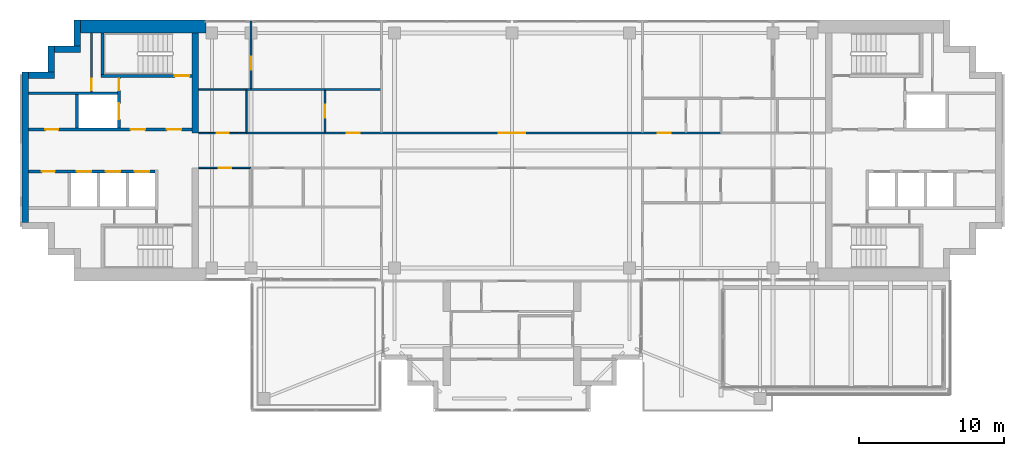
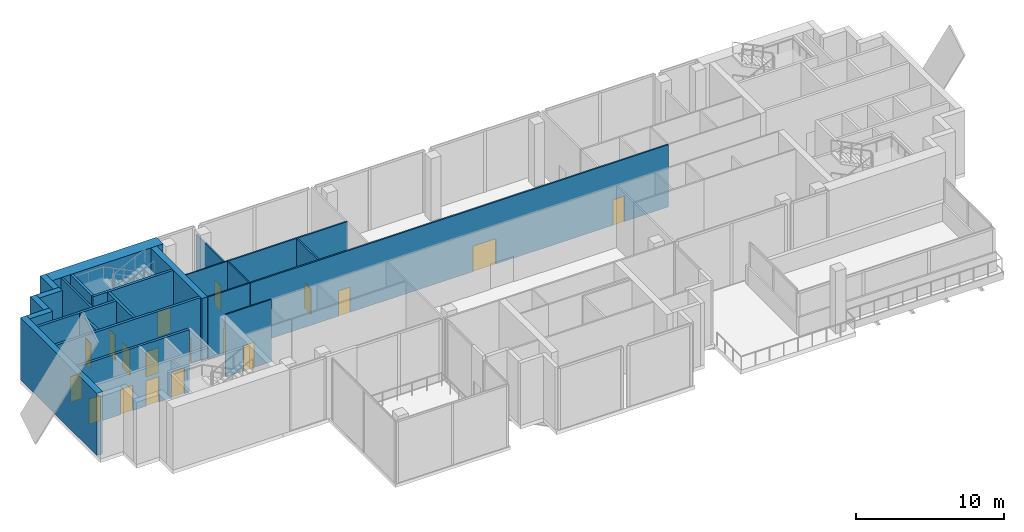
# One storey, part 7 of 14: 23 walls, 18 doors, 18 openings.
"""IFC4 building model written with IfcOpenShell, lengths in metres."""

from ifc_helpers import new_model, si_unit, direction, frame, frame_2d, origin, place, context, subcontext, project, spatial, rectangle, extrude, material, layer, layer_set, type_object, element, fill, save


model = new_model("IFC4")

# Units and contexts
model_context = context("Model", 3, precision=1e-05, world=origin(), true_north=direction((0.0, 1.0)))
body_context = subcontext(model_context, "Body", "Model", "MODEL_VIEW")
ifc_project = project(units=[si_unit("LENGTHUNIT", "METRE"), si_unit("AREAUNIT", "SQUARE_METRE"), si_unit("VOLUMEUNIT", "CUBIC_METRE"), si_unit("PLANEANGLEUNIT", "RADIAN"), si_unit("MASSUNIT", "GRAM", prefix="KILO")], contexts=[model_context])

# Site, building, storey
site_placement = place(None, origin())
site = spatial("IfcSite", under=ifc_project, at=site_placement, CompositionType="ELEMENT")
building_placement = place(site_placement, origin())
building = spatial("IfcBuilding", under=site, at=building_placement, Name="Perihelion Cross Residences", CompositionType="ELEMENT")
storey_placement = place(building_placement, frame((0.0, 0.0, 285.0)))
storey = spatial("IfcBuildingStorey", under=building, at=storey_placement, Name="L73", CompositionType="ELEMENT", Elevation=285.0)

# Walls
ifc_material_1 = material(Name="Concrete C60/75", Category="concrete")
ifc_layer_1 = layer(ifc_material_1, 0.449951171875)
ifc_layer_set_1 = layer_set([ifc_layer_1], Name="Core wall, inner 450")
wall_type_1 = type_object("IfcWallType", Name="Core wall, inner 450", PredefinedType="SHEAR", material=ifc_layer_set_1)
wall_1_placement = place(storey_placement, frame((-21.824951171875, 1.199951171875, 0.0), z_axis=(0.0, 0.0, 1.0), x_axis=(0.0, 1.0, 0.0)))
element("IfcWall", 1, at=wall_1_placement, inside=storey, type_object=wall_type_1, Name="West core core wall, inner", PredefinedType="SHEAR", context=body_context, shape_type="SweptSolid", body=[
    extrude(rectangle(XDim=6.900146484375, YDim=0.449951171875, at=frame_2d((3.4501953125, 0.0))), origin(), (0.0, 0.0, 1.0), 5.14990234375),
])
ifc_material_2 = material(Name="Concrete C60/75", Category="concrete")
ifc_layer_2 = layer(ifc_material_2, 0.449951171875)
ifc_layer_set_2 = layer_set([ifc_layer_2], Name="Core wall, outer 450")
wall_type_2 = type_object("IfcWallType", Name="Core wall, outer 450", PredefinedType="SHEAR", material=ifc_layer_set_2)
wall_2_placement = place(storey_placement, frame((-33.574951171875, -4.949951171875, 0.0), z_axis=(0.0, 0.0, 1.0), x_axis=(0.0, 1.0, 0.0)))
element("IfcWall", 2, at=wall_2_placement, inside=storey, type_object=wall_type_2, Name="West core core wall, outer", PredefinedType="SHEAR", context=body_context, shape_type="SweptSolid", body=[
    extrude(rectangle(XDim=10.349853515625, YDim=0.449951171875, at=frame_2d((5.1748046875, 0.0))), origin(), (0.0, 0.0, 1.0), 5.14990234375),
])
for number, where, z_axis, x_axis, name in (
    (3, (-33.35009765625, 5.175048828125, 0.0), (0.0, 0.0, 1.0), (1.0, 0.0, 0.0), "West core core wall, outer"),
    (4, (-31.77490234375, 5.39990234375, 0.0), (0.0, 0.0, 1.0), (0.0, 1.0, 0.0), "West core core wall, outer"),
    (5, (-31.550048828125, 6.97509765625, 0.0), (0.0, 0.0, 1.0), (1.0, 0.0, 0.0), "West core core wall, outer"),
    (6, (-29.97509765625, 7.199951171875, 0.0), (0.0, 0.0, 1.0), (0.0, 1.0, 0.0), "West core core wall, outer"),
):
    element("IfcWall", number, at=place(storey_placement, frame(where, z_axis=z_axis, x_axis=x_axis)), inside=storey, type_object=wall_type_2, Name=name, PredefinedType="SHEAR", context=body_context, shape_type="SweptSolid", body=[
        extrude(rectangle(XDim=1.800048828125, YDim=0.449951171875, at=frame_2d((0.89990234375, 0.0))), origin(), (0.0, 0.0, 1.0), 5.14990234375),
    ])
ifc_material_3 = material(Name="Concrete C60/75", Category="concrete")
ifc_layer_3 = layer(ifc_material_3, 0.89990234375)
ifc_layer_set_3 = layer_set([ifc_layer_3], Name="Core wall, outer 900")
wall_type_3 = type_object("IfcWallType", Name="Core wall, outer 900", PredefinedType="SHEAR", material=ifc_layer_set_3)
wall_3_placement = place(storey_placement, frame((-29.75, 8.550048828125, 0.0), z_axis=(0.0, 0.0, 1.0), x_axis=(1.0, 0.0, 0.0)))
element("IfcWall", 7, at=wall_3_placement, inside=storey, type_object=wall_type_3, Name="West core core wall, outer", PredefinedType="SHEAR", context=body_context, shape_type="SweptSolid", body=[
    extrude(rectangle(XDim=8.64990234375, YDim=0.89990234375, at=frame_2d((4.324951171875, 0.0))), origin(), (0.0, 0.0, 1.0), 5.14990234375),
])

# Wall, openings, doors
ifc_material_4 = material(Name="Plasterboard partition")
ifc_layer_4 = layer(ifc_material_4, 0.1201171875)
ifc_layer_set_4 = layer_set([ifc_layer_4], Name="Partition wall 120")
wall_type_4 = type_object("IfcWallType", Name="Partition wall 120", PredefinedType="PARTITIONING", material=ifc_layer_set_4)
wall_4_placement = place(storey_placement, frame((-18.300048828125, 1.199951171875, 0.0), z_axis=(0.0, 0.0, 1.0), x_axis=(1.0, 0.0, 0.0)))
wall_4 = element("IfcWall", 8, at=wall_4_placement, inside=storey, type_object=wall_type_4, Name="Partition L73 W001", PredefinedType="PARTITIONING", context=body_context, shape_type="SweptSolid", body=[
    extrude(rectangle(XDim=32.699951171875, YDim=0.1201171875, at=frame_2d((16.35009765625, 0.0))), origin(), (0.0, 0.0, 1.0), 5.14990234375),
])
opening_1_placement = place(wall_4_placement, frame((17.39990234375, 0.0, 0.0)))
opening_1 = element("IfcOpeningElement", 9, at=opening_1_placement, cuts=wall_4, Name="Opening L73.A01", PredefinedType="OPENING", context=body_context, shape_type="SweptSolid", body=[
    extrude(rectangle(XDim=1.800048828125, YDim=2.10009765625, at=frame_2d((0.89990234375, 1.050048828125))), frame((0.0, 0.070068359375, 0.0), z_axis=(0.0, -1.0, 0.0), x_axis=(1.0, 0.0, 0.0)), (0.0, 0.0, 1.0), 0.14013671875),
])
opening_2_placement = place(wall_4_placement, frame((28.35009765625, 0.0, 0.0)))
opening_2 = element("IfcOpeningElement", 10, at=opening_2_placement, cuts=wall_4, Name="Opening L73.A03", PredefinedType="OPENING", context=body_context, shape_type="SweptSolid", body=[
    extrude(rectangle(XDim=0.89990234375, YDim=2.10009765625, at=frame_2d((0.449951171875, 1.050048828125))), frame((0.0, 0.070068359375, 0.0), z_axis=(0.0, -1.0, 0.0), x_axis=(1.0, 0.0, 0.0)), (0.0, 0.0, 1.0), 0.14013671875),
])
opening_3_placement = place(wall_4_placement, frame((6.89990234375, 0.0, 0.0)))
opening_3 = element("IfcOpeningElement", 11, at=opening_3_placement, cuts=wall_4, Name="Opening L73.A07", PredefinedType="OPENING", context=body_context, shape_type="SweptSolid", body=[
    extrude(rectangle(XDim=0.89990234375, YDim=2.10009765625, at=frame_2d((0.449951171875, 1.050048828125))), frame((0.0, 0.070068359375, 0.0), z_axis=(0.0, -1.0, 0.0), x_axis=(1.0, 0.0, 0.0)), (0.0, 0.0, 1.0), 0.14013671875),
])
ifc_material_5 = material(Name="Glazed timber door leaf", Category="wood")
door_type_1 = type_object("IfcDoorType", Name="Interior double leaf door 1800 x 2100", OperationType="DOUBLE_DOOR_SINGLE_SWING", PredefinedType="DOOR", material=ifc_material_5)
door_1_placement = place(opening_1_placement, origin())
door_1 = element("IfcDoor", 12, at=door_1_placement, inside=storey, type_object=door_type_1, Name="Door L73.A01", OperationType="SINGLE_SWING_LEFT", OverallHeight=2.10009765625, OverallWidth=1.800048828125, PredefinedType="DOOR", context=body_context, shape_type="SweptSolid", body=[
    extrude(rectangle(XDim=1.800048828125, YDim=2.10009765625, at=frame_2d((0.89990234375, 1.050048828125))), frame((0.0, 0.02490234375, 0.0), z_axis=(0.0, -1.0, 0.0), x_axis=(1.0, 0.0, 0.0)), (0.0, 0.0, 1.0), 0.050048828125),
])
fill(opening_1, door_1)
ifc_material_6 = material(Name="Timber door leaf", Category="wood")
door_type_2 = type_object("IfcDoorType", Name="Interior room door 900 x 2100", OperationType="SINGLE_SWING_LEFT", PredefinedType="DOOR", material=ifc_material_6)
door_2_placement = place(opening_2_placement, origin())
door_2 = element("IfcDoor", 13, at=door_2_placement, inside=storey, type_object=door_type_2, Name="Door L73.A03", OperationType="SINGLE_SWING_LEFT", OverallHeight=2.10009765625, OverallWidth=0.89990234375, PredefinedType="DOOR", context=body_context, shape_type="SweptSolid", body=[
    extrude(rectangle(XDim=0.89990234375, YDim=2.10009765625, at=frame_2d((0.449951171875, 1.050048828125))), frame((0.0, 0.02490234375, 0.0), z_axis=(0.0, -1.0, 0.0), x_axis=(1.0, 0.0, 0.0)), (0.0, 0.0, 1.0), 0.050048828125),
])
fill(opening_2, door_2)
door_3_placement = place(opening_3_placement, origin())
door_3 = element("IfcDoor", 14, at=door_3_placement, inside=storey, type_object=door_type_2, Name="Door L73.A07", OperationType="SINGLE_SWING_LEFT", OverallHeight=2.10009765625, OverallWidth=0.89990234375, PredefinedType="DOOR", context=body_context, shape_type="SweptSolid", body=[
    extrude(rectangle(XDim=0.89990234375, YDim=2.10009765625, at=frame_2d((0.449951171875, 1.050048828125))), frame((0.0, 0.02490234375, 0.0), z_axis=(0.0, -1.0, 0.0), x_axis=(1.0, 0.0, 0.0)), (0.0, 0.0, 1.0), 0.050048828125),
])
fill(opening_3, door_3)

# Wall, opening, door
wall_5_placement = place(storey_placement, frame((-18.0, 4.260009765625, 0.0), z_axis=(0.0, 0.0, 1.0), x_axis=(0.0, 1.0, 0.0)))
wall_5 = element("IfcWall", 15, at=wall_5_placement, inside=storey, type_object=wall_type_4, Name="Partition L73 W025", PredefinedType="PARTITIONING", context=body_context, shape_type="SweptSolid", body=[
    extrude(rectangle(XDim=4.659912109375, YDim=0.1201171875, at=frame_2d((2.330078125, 0.0))), origin(), (0.0, 0.0, 1.0), 4.39599609375),
])
opening_4_placement = place(wall_5_placement, frame((1.320068359375, 0.0, 0.0)))
opening_4 = element("IfcOpeningElement", 16, at=opening_4_placement, cuts=wall_5, Name="Opening L73.A22", PredefinedType="OPENING", context=body_context, shape_type="SweptSolid", body=[
    extrude(rectangle(XDim=0.89990234375, YDim=2.10009765625, at=frame_2d((0.449951171875, 1.050048828125))), frame((0.0, 0.070068359375, 0.0), z_axis=(0.0, -1.0, 0.0), x_axis=(1.0, 0.0, 0.0)), (0.0, 0.0, 1.0), 0.14013671875),
])
door_4_placement = place(opening_4_placement, origin())
door_4 = element("IfcDoor", 17, at=door_4_placement, inside=storey, type_object=door_type_2, Name="Door L73.A22", OperationType="SINGLE_SWING_LEFT", OverallHeight=2.10009765625, OverallWidth=0.89990234375, PredefinedType="DOOR", context=body_context, shape_type="SweptSolid", body=[
    extrude(rectangle(XDim=0.89990234375, YDim=2.10009765625, at=frame_2d((0.449951171875, 1.050048828125))), frame((0.0, 0.02490234375, 0.0), z_axis=(0.0, -1.0, 0.0), x_axis=(1.0, 0.0, 0.0)), (0.0, 0.0, 1.0), 0.050048828125),
])
fill(opening_4, door_4)

# Wall
wall_6_placement = place(storey_placement, frame((-8.93994140625, 4.199951171875, 0.0), z_axis=(0.0, 0.0, 1.0), x_axis=(-1.0, 0.0, 0.0)))
element("IfcWall", 18, at=wall_6_placement, inside=storey, type_object=wall_type_4, Name="Partition L73 W026", PredefinedType="PARTITIONING", context=body_context, shape_type="SweptSolid", body=[
    extrude(rectangle(XDim=9.360107421875, YDim=0.1201171875, at=frame_2d((4.68017578125, 0.0))), origin(), (0.0, 0.0, 1.0), 5.14990234375),
])

# Wall, opening, door
wall_7_placement = place(storey_placement, frame((-12.89990234375, 1.260009765625, 0.0), z_axis=(0.0, 0.0, 1.0), x_axis=(0.0, 1.0, 0.0)))
wall_7 = element("IfcWall", 19, at=wall_7_placement, inside=storey, type_object=wall_type_4, Name="Partition L73 W028", PredefinedType="PARTITIONING", context=body_context, shape_type="SweptSolid", body=[
    extrude(rectangle(XDim=2.8798828125, YDim=0.1201171875, at=frame_2d((1.43994140625, 0.0))), origin(), (0.0, 0.0, 1.0), 5.14990234375),
])
opening_5_placement = place(wall_7_placement, frame((0.989990234375, 0.0, 0.0)))
opening_5 = element("IfcOpeningElement", 20, at=opening_5_placement, cuts=wall_7, Name="Opening L73.A18", PredefinedType="OPENING", context=body_context, shape_type="SweptSolid", body=[
    extrude(rectangle(XDim=0.89990234375, YDim=2.10009765625, at=frame_2d((0.449951171875, 1.050048828125))), frame((0.0, 0.070068359375, 0.0), z_axis=(0.0, -1.0, 0.0), x_axis=(1.0, 0.0, 0.0)), (0.0, 0.0, 1.0), 0.14013671875),
])
door_5_placement = place(opening_5_placement, origin())
door_5 = element("IfcDoor", 21, at=door_5_placement, inside=storey, type_object=door_type_2, Name="Door L73.A18", OperationType="SINGLE_SWING_LEFT", OverallHeight=2.10009765625, OverallWidth=0.89990234375, PredefinedType="DOOR", context=body_context, shape_type="SweptSolid", body=[
    extrude(rectangle(XDim=0.89990234375, YDim=2.10009765625, at=frame_2d((0.449951171875, 1.050048828125))), frame((0.0, 0.02490234375, 0.0), z_axis=(0.0, -1.0, 0.0), x_axis=(1.0, 0.0, 0.0)), (0.0, 0.0, 1.0), 0.050048828125),
])
fill(opening_5, door_5)

ifc_material_7 = material(Name="Fire-rated board on steel stud", Category="steel")
ifc_layer_5 = layer(ifc_material_7, 0.14990234375)
ifc_layer_set_5 = layer_set([ifc_layer_5], Name="Riser wall 150")
wall_type_5 = type_object("IfcWallType", Name="Riser wall 150", PredefinedType="PARTITIONING", material=ifc_layer_set_5)
wall_8_placement = place(storey_placement, frame((-29.0, 4.050048828125, 0.0), z_axis=(0.0, 0.0, 1.0), x_axis=(0.0, 1.0, 0.0)))
wall_8 = element("IfcWall", 22, at=wall_8_placement, inside=storey, type_object=wall_type_5, Name="West core riser wall", PredefinedType="PARTITIONING", context=body_context, shape_type="SweptSolid", body=[
    extrude(rectangle(XDim=4.050048828125, YDim=0.14990234375, at=frame_2d((2.02490234375, 0.0))), origin(), (0.0, 0.0, 1.0), 5.14990234375),
])
opening_6_placement = place(wall_8_placement, frame((0.10009765625, 0.0, 0.0)))
opening_6 = element("IfcOpeningElement", 23, at=opening_6_placement, cuts=wall_8, Name="Opening L73.C26", PredefinedType="OPENING", context=body_context, shape_type="SweptSolid", body=[
    extrude(rectangle(XDim=0.800048828125, YDim=2.10009765625, at=frame_2d((0.39990234375, 1.050048828125))), frame((0.0, 0.0849609375, 0.0), z_axis=(0.0, -1.0, 0.0), x_axis=(1.0, 0.0, 0.0)), (0.0, 0.0, 1.0), 0.169921875),
])
ifc_material_8 = material(Name="Steel, powder coated", Category="steel")
door_type_3 = type_object("IfcDoorType", Name="Riser door 800", OperationType="SINGLE_SWING_LEFT", PredefinedType="DOOR", material=ifc_material_8)
door_6_placement = place(opening_6_placement, origin())
door_6 = element("IfcDoor", 24, at=door_6_placement, inside=storey, type_object=door_type_3, Name="West core riser door", OperationType="SINGLE_SWING_LEFT", OverallHeight=2.10009765625, OverallWidth=0.800048828125, PredefinedType="DOOR", context=body_context, shape_type="SweptSolid", body=[
    extrude(rectangle(XDim=0.800048828125, YDim=2.10009765625, at=frame_2d((0.39990234375, 1.050048828125))), frame((0.0, 0.02490234375, 0.0), z_axis=(0.0, -1.0, 0.0), x_axis=(1.0, 0.0, 0.0)), (0.0, 0.0, 1.0), 0.050048828125),
])
fill(opening_6, door_6)

# Wall, openings, doors
ifc_material_9 = material(Name="Concrete C50/60", Category="concrete")
ifc_layer_6 = layer(ifc_material_9, 0.199951171875)
ifc_layer_set_6 = layer_set([ifc_layer_6], Name="Shaft wall 200")
wall_type_6 = type_object("IfcWallType", Name="Shaft wall 200", PredefinedType="SOLIDWALL", material=ifc_layer_set_6)
wall_9_placement = place(storey_placement, frame((-33.35009765625, 1.449951171875, 0.0), z_axis=(0.0, 0.0, 1.0), x_axis=(1.0, 0.0, 0.0)))
wall_9 = element("IfcWall", 25, at=wall_9_placement, inside=storey, type_object=wall_type_6, Name="West core shaft wall", PredefinedType="SOLIDWALL", context=body_context, shape_type="SweptSolid", body=[
    extrude(rectangle(XDim=11.300048828125, YDim=0.199951171875, at=frame_2d((5.64990234375, 0.0))), origin(), (0.0, 0.0, 1.0), 5.14990234375),
])
opening_7_placement = place(wall_9_placement, frame((9.550048828125, 0.0, 0.0)))
opening_7 = element("IfcOpeningElement", 26, at=opening_7_placement, cuts=wall_9, Name="Opening L73.C21", PredefinedType="OPENING", context=body_context, shape_type="SweptSolid", body=[
    extrude(rectangle(XDim=1.0, YDim=2.10009765625, at=frame_2d((0.5, 1.050048828125))), frame((0.0, 0.10986328125, 0.0), z_axis=(0.0, -1.0, 0.0), x_axis=(1.0, 0.0, 0.0)), (0.0, 0.0, 1.0), 0.219970703125),
])
opening_8_placement = place(wall_9_placement, frame((7.050048828125, 0.0, 0.0)))
opening_8 = element("IfcOpeningElement", 27, at=opening_8_placement, cuts=wall_9, Name="Opening L73.C23", PredefinedType="OPENING", context=body_context, shape_type="SweptSolid", body=[
    extrude(rectangle(XDim=1.0, YDim=2.10009765625, at=frame_2d((0.5, 1.050048828125))), frame((0.0, 0.10986328125, 0.0), z_axis=(0.0, -1.0, 0.0), x_axis=(1.0, 0.0, 0.0)), (0.0, 0.0, 1.0), 0.219970703125),
])
opening_9_placement = place(wall_9_placement, frame((1.175048828125, 0.0, 0.0)))
opening_9 = element("IfcOpeningElement", 28, at=opening_9_placement, cuts=wall_9, Name="Opening L73.C27", PredefinedType="OPENING", context=body_context, shape_type="SweptSolid", body=[
    extrude(rectangle(XDim=0.89990234375, YDim=2.10009765625, at=frame_2d((0.449951171875, 1.050048828125))), frame((0.0, 0.10986328125, 0.0), z_axis=(0.0, -1.0, 0.0), x_axis=(1.0, 0.0, 0.0)), (0.0, 0.0, 1.0), 0.219970703125),
])
ifc_material_10 = material(Name="Steel, powder coated", Category="steel")
door_type_4 = type_object("IfcDoorType", Name="Lobby door 1000", OperationType="SINGLE_SWING_LEFT", PredefinedType="DOOR", material=ifc_material_10)
door_7_placement = place(opening_7_placement, origin())
door_7 = element("IfcDoor", 29, at=door_7_placement, inside=storey, type_object=door_type_4, Name="West core firefighting lobby door", OperationType="SINGLE_SWING_LEFT", OverallHeight=2.10009765625, OverallWidth=1.0, PredefinedType="DOOR", context=body_context, shape_type="SweptSolid", body=[
    extrude(rectangle(XDim=1.0, YDim=2.10009765625, at=frame_2d((0.5, 1.050048828125))), frame((0.0, 0.02490234375, 0.0), z_axis=(0.0, -1.0, 0.0), x_axis=(1.0, 0.0, 0.0)), (0.0, 0.0, 1.0), 0.050048828125),
])
fill(opening_7, door_7)
door_8_placement = place(opening_8_placement, origin())
door_8 = element("IfcDoor", 30, at=door_8_placement, inside=storey, type_object=door_type_4, Name="West core firefighting lobby door", OperationType="SINGLE_SWING_LEFT", OverallHeight=2.10009765625, OverallWidth=1.0, PredefinedType="DOOR", context=body_context, shape_type="SweptSolid", body=[
    extrude(rectangle(XDim=1.0, YDim=2.10009765625, at=frame_2d((0.5, 1.050048828125))), frame((0.0, 0.02490234375, 0.0), z_axis=(0.0, -1.0, 0.0), x_axis=(1.0, 0.0, 0.0)), (0.0, 0.0, 1.0), 0.050048828125),
])
fill(opening_8, door_8)
ifc_material_11 = material(Name="Steel, powder coated", Category="steel")
door_type_5 = type_object("IfcDoorType", Name="Service room door 900", OperationType="SINGLE_SWING_LEFT", PredefinedType="DOOR", material=ifc_material_11)
door_9_placement = place(opening_9_placement, origin())
door_9 = element("IfcDoor", 31, at=door_9_placement, inside=storey, type_object=door_type_5, Name="West core service room door", OperationType="SINGLE_SWING_LEFT", OverallHeight=2.10009765625, OverallWidth=0.89990234375, PredefinedType="DOOR", context=body_context, shape_type="SweptSolid", body=[
    extrude(rectangle(XDim=0.89990234375, YDim=2.10009765625, at=frame_2d((0.449951171875, 1.050048828125))), frame((0.0, 0.02490234375, 0.0), z_axis=(0.0, -1.0, 0.0), x_axis=(1.0, 0.0, 0.0)), (0.0, 0.0, 1.0), 0.050048828125),
])
fill(opening_9, door_9)

wall_10_placement = place(storey_placement, frame((-33.35009765625, -1.449951171875, 0.0), z_axis=(0.0, 0.0, 1.0), x_axis=(1.0, 0.0, 0.0)))
wall_10 = element("IfcWall", 32, at=wall_10_placement, inside=storey, type_object=wall_type_6, Name="West core shaft wall", PredefinedType="SOLIDWALL", context=body_context, shape_type="SweptSolid", body=[
    extrude(rectangle(XDim=8.75, YDim=0.199951171875, at=frame_2d((4.375, 0.0))), origin(), (0.0, 0.0, 1.0), 5.14990234375),
])
opening_10_placement = place(wall_10_placement, frame((7.35009765625, 0.0, 0.0)))
opening_10 = element("IfcOpeningElement", 33, at=opening_10_placement, cuts=wall_10, Name="Opening L73.C15", PredefinedType="OPENING", context=body_context, shape_type="SweptSolid", body=[
    extrude(rectangle(XDim=1.0, YDim=2.10009765625, at=frame_2d((0.5, 1.050048828125))), frame((0.0, 0.10986328125, 0.0), z_axis=(0.0, -1.0, 0.0), x_axis=(1.0, 0.0, 0.0)), (0.0, 0.0, 1.0), 0.219970703125),
])
opening_11_placement = place(wall_10_placement, frame((5.35009765625, 0.0, 0.0)))
opening_11 = element("IfcOpeningElement", 34, at=opening_11_placement, cuts=wall_10, Name="Opening L73.C17", PredefinedType="OPENING", context=body_context, shape_type="SweptSolid", body=[
    extrude(rectangle(XDim=1.0, YDim=2.10009765625, at=frame_2d((0.5, 1.050048828125))), frame((0.0, 0.10986328125, 0.0), z_axis=(0.0, -1.0, 0.0), x_axis=(1.0, 0.0, 0.0)), (0.0, 0.0, 1.0), 0.219970703125),
])
opening_12_placement = place(wall_10_placement, frame((3.35009765625, 0.0, 0.0)))
opening_12 = element("IfcOpeningElement", 35, at=opening_12_placement, cuts=wall_10, Name="Opening L73.C18", PredefinedType="OPENING", context=body_context, shape_type="SweptSolid", body=[
    extrude(rectangle(XDim=1.0, YDim=2.10009765625, at=frame_2d((0.5, 1.050048828125))), frame((0.0, 0.10986328125, 0.0), z_axis=(0.0, -1.0, 0.0), x_axis=(1.0, 0.0, 0.0)), (0.0, 0.0, 1.0), 0.219970703125),
])
opening_13_placement = place(wall_10_placement, frame((0.925048828125, 0.0, 0.0)))
opening_13 = element("IfcOpeningElement", 36, at=opening_13_placement, cuts=wall_10, Name="Opening L73.C28", PredefinedType="OPENING", context=body_context, shape_type="SweptSolid", body=[
    extrude(rectangle(XDim=0.89990234375, YDim=2.10009765625, at=frame_2d((0.449951171875, 1.050048828125))), frame((0.0, 0.10986328125, 0.0), z_axis=(0.0, -1.0, 0.0), x_axis=(1.0, 0.0, 0.0)), (0.0, 0.0, 1.0), 0.219970703125),
])
ifc_material_12 = material(Name="Stainless steel", Category="steel")
door_type_6 = type_object("IfcDoorType", Name="Landing door 1000", OperationType="DOUBLE_DOOR_SLIDING", PredefinedType="DOOR", material=ifc_material_12)
door_10_placement = place(opening_10_placement, origin())
door_10 = element("IfcDoor", 37, at=door_10_placement, inside=storey, type_object=door_type_6, Name="Landing door, West core high-rise lift 1", OperationType="DOUBLE_DOOR_SLIDING", OverallHeight=2.10009765625, OverallWidth=1.0, PredefinedType="DOOR", context=body_context, shape_type="SweptSolid", body=[
    extrude(rectangle(XDim=1.0, YDim=2.10009765625, at=frame_2d((0.5, 1.050048828125))), frame((0.0, 0.02490234375, 0.0), z_axis=(0.0, -1.0, 0.0), x_axis=(1.0, 0.0, 0.0)), (0.0, 0.0, 1.0), 0.050048828125),
])
fill(opening_10, door_10)
door_11_placement = place(opening_11_placement, origin())
door_11 = element("IfcDoor", 38, at=door_11_placement, inside=storey, type_object=door_type_6, Name="Landing door, West core high-rise lift 2", OperationType="DOUBLE_DOOR_SLIDING", OverallHeight=2.10009765625, OverallWidth=1.0, PredefinedType="DOOR", context=body_context, shape_type="SweptSolid", body=[
    extrude(rectangle(XDim=1.0, YDim=2.10009765625, at=frame_2d((0.5, 1.050048828125))), frame((0.0, 0.02490234375, 0.0), z_axis=(0.0, -1.0, 0.0), x_axis=(1.0, 0.0, 0.0)), (0.0, 0.0, 1.0), 0.050048828125),
])
fill(opening_11, door_11)
door_12_placement = place(opening_12_placement, origin())
door_12 = element("IfcDoor", 39, at=door_12_placement, inside=storey, type_object=door_type_6, Name="Landing door, West core high-rise lift 3", OperationType="DOUBLE_DOOR_SLIDING", OverallHeight=2.10009765625, OverallWidth=1.0, PredefinedType="DOOR", context=body_context, shape_type="SweptSolid", body=[
    extrude(rectangle(XDim=1.0, YDim=2.10009765625, at=frame_2d((0.5, 1.050048828125))), frame((0.0, 0.02490234375, 0.0), z_axis=(0.0, -1.0, 0.0), x_axis=(1.0, 0.0, 0.0)), (0.0, 0.0, 1.0), 0.050048828125),
])
fill(opening_12, door_12)
door_13_placement = place(opening_13_placement, origin())
door_13 = element("IfcDoor", 40, at=door_13_placement, inside=storey, type_object=door_type_5, Name="West core service room door", OperationType="SINGLE_SWING_LEFT", OverallHeight=2.10009765625, OverallWidth=0.89990234375, PredefinedType="DOOR", context=body_context, shape_type="SweptSolid", body=[
    extrude(rectangle(XDim=0.89990234375, YDim=2.10009765625, at=frame_2d((0.449951171875, 1.050048828125))), frame((0.0, 0.02490234375, 0.0), z_axis=(0.0, -1.0, 0.0), x_axis=(1.0, 0.0, 0.0)), (0.0, 0.0, 1.0), 0.050048828125),
])
fill(opening_13, door_13)

# Wall
wall_11_placement = place(storey_placement, frame((-33.35009765625, 3.949951171875, 0.0), z_axis=(0.0, 0.0, 1.0), x_axis=(1.0, 0.0, 0.0)))
element("IfcWall", 41, at=wall_11_placement, inside=storey, type_object=wall_type_6, Name="West core shaft wall", PredefinedType="SOLIDWALL", context=body_context, shape_type="SweptSolid", body=[
    extrude(rectangle(XDim=6.150146484375, YDim=0.199951171875, at=frame_2d((3.0751953125, 0.0))), origin(), (0.0, 0.0, 1.0), 5.14990234375),
])

# Wall, openings, doors
wall_12_placement = place(storey_placement, frame((-27.10009765625, 1.550048828125, 0.0), z_axis=(0.0, 0.0, 1.0), x_axis=(0.0, 1.0, 0.0)))
wall_12 = element("IfcWall", 42, at=wall_12_placement, inside=storey, type_object=wall_type_6, Name="West core shaft wall", PredefinedType="SOLIDWALL", context=body_context, shape_type="SweptSolid", body=[
    extrude(rectangle(XDim=3.5, YDim=0.199951171875, at=frame_2d((1.75, 0.0))), origin(), (0.0, 0.0, 1.0), 5.14990234375),
])
opening_14_placement = place(wall_12_placement, frame((0.60009765625, 0.0, 0.0)))
opening_14 = element("IfcOpeningElement", 43, at=opening_14_placement, cuts=wall_12, Name="Opening L73.C16", PredefinedType="OPENING", context=body_context, shape_type="SweptSolid", body=[
    extrude(rectangle(XDim=1.10009765625, YDim=2.10009765625, at=frame_2d((0.550048828125, 1.050048828125))), frame((0.0, 0.10986328125, 0.0), z_axis=(0.0, -1.0, 0.0), x_axis=(1.0, 0.0, 0.0)), (0.0, 0.0, 1.0), 0.219970703125),
])
opening_15_placement = place(wall_12_placement, frame((2.60009765625, 0.0, 0.0)))
opening_15 = element("IfcOpeningElement", 44, at=opening_15_placement, cuts=wall_12, Name="Opening L73.C24", PredefinedType="OPENING", context=body_context, shape_type="SweptSolid", body=[
    extrude(rectangle(XDim=0.800048828125, YDim=2.10009765625, at=frame_2d((0.39990234375, 1.050048828125))), frame((0.0, 0.10986328125, 0.0), z_axis=(0.0, -1.0, 0.0), x_axis=(1.0, 0.0, 0.0)), (0.0, 0.0, 1.0), 0.219970703125),
])
ifc_material_13 = material(Name="Stainless steel", Category="steel")
door_type_7 = type_object("IfcDoorType", Name="Landing door, firefighting lift 1100", OperationType="DOUBLE_DOOR_SLIDING", PredefinedType="DOOR", material=ifc_material_13)
door_14_placement = place(opening_14_placement, origin())
door_14 = element("IfcDoor", 45, at=door_14_placement, inside=storey, type_object=door_type_7, Name="Landing door, West core firefighting and service lift", OperationType="DOUBLE_DOOR_SLIDING", OverallHeight=2.10009765625, OverallWidth=1.10009765625, PredefinedType="DOOR", context=body_context, shape_type="SweptSolid", body=[
    extrude(rectangle(XDim=1.10009765625, YDim=2.10009765625, at=frame_2d((0.550048828125, 1.050048828125))), frame((0.0, 0.02490234375, 0.0), z_axis=(0.0, -1.0, 0.0), x_axis=(1.0, 0.0, 0.0)), (0.0, 0.0, 1.0), 0.050048828125),
])
fill(opening_14, door_14)
door_15_placement = place(opening_15_placement, origin())
door_15 = element("IfcDoor", 46, at=door_15_placement, inside=storey, type_object=door_type_3, Name="West core riser door", OperationType="SINGLE_SWING_LEFT", OverallHeight=2.10009765625, OverallWidth=0.800048828125, PredefinedType="DOOR", context=body_context, shape_type="SweptSolid", body=[
    extrude(rectangle(XDim=0.800048828125, YDim=2.10009765625, at=frame_2d((0.39990234375, 1.050048828125))), frame((0.0, 0.02490234375, 0.0), z_axis=(0.0, -1.0, 0.0), x_axis=(1.0, 0.0, 0.0)), (0.0, 0.0, 1.0), 0.050048828125),
])
fill(opening_15, door_15)

# Wall
wall_13_placement = place(storey_placement, frame((-30.0, 1.550048828125, 0.0), z_axis=(0.0, 0.0, 1.0), x_axis=(0.0, 1.0, 0.0)))
element("IfcWall", 47, at=wall_13_placement, inside=storey, type_object=wall_type_6, Name="West core shaft wall", PredefinedType="SOLIDWALL", context=body_context, shape_type="SweptSolid", body=[
    extrude(rectangle(XDim=2.300048828125, YDim=0.199951171875, at=frame_2d((1.14990234375, 0.0))), origin(), (0.0, 0.0, 1.0), 5.14990234375),
])

# Wall, opening, door
ifc_material_14 = material(Name="Concrete C50/60", Category="concrete")
ifc_layer_7 = layer(ifc_material_14, 0.199951171875)
ifc_layer_set_7 = layer_set([ifc_layer_7], Name="Stair wall 200")
wall_type_7 = type_object("IfcWallType", Name="Stair wall 200", PredefinedType="SOLIDWALL", material=ifc_layer_set_7)
wall_14_placement = place(storey_placement, frame((-28.35009765625, 5.14990234375, 0.0), z_axis=(0.0, 0.0, 1.0), x_axis=(1.0, 0.0, 0.0)))
wall_14 = element("IfcWall", 48, at=wall_14_placement, inside=storey, type_object=wall_type_7, Name="West core stair wall", PredefinedType="SOLIDWALL", context=body_context, shape_type="SweptSolid", body=[
    extrude(rectangle(XDim=6.300048828125, YDim=0.199951171875, at=frame_2d((3.14990234375, 0.0))), origin(), (0.0, 0.0, 1.0), 5.14990234375),
])
opening_16_placement = place(wall_14_placement, frame((5.10009765625, 0.0, 0.0)))
opening_16 = element("IfcOpeningElement", 49, at=opening_16_placement, cuts=wall_14, Name="Opening L73.C20", PredefinedType="OPENING", context=body_context, shape_type="SweptSolid", body=[
    extrude(rectangle(XDim=1.0, YDim=2.10009765625, at=frame_2d((0.5, 1.050048828125))), frame((0.0, 0.10986328125, 0.0), z_axis=(0.0, -1.0, 0.0), x_axis=(1.0, 0.0, 0.0)), (0.0, 0.0, 1.0), 0.219970703125),
])
ifc_material_15 = material(Name="Steel, powder coated", Category="steel")
door_type_8 = type_object("IfcDoorType", Name="Stair door 1000", OperationType="SINGLE_SWING_LEFT", PredefinedType="DOOR", material=ifc_material_15)
door_16_placement = place(opening_16_placement, origin())
door_16 = element("IfcDoor", 50, at=door_16_placement, inside=storey, type_object=door_type_8, Name="West core stair door", OperationType="SINGLE_SWING_LEFT", OverallHeight=2.10009765625, OverallWidth=1.0, PredefinedType="DOOR", context=body_context, shape_type="SweptSolid", body=[
    extrude(rectangle(XDim=1.0, YDim=2.10009765625, at=frame_2d((0.5, 1.050048828125))), frame((0.0, 0.02490234375, 0.0), z_axis=(0.0, -1.0, 0.0), x_axis=(1.0, 0.0, 0.0)), (0.0, 0.0, 1.0), 0.050048828125),
])
fill(opening_16, door_16)

# Wall
wall_15_placement = place(storey_placement, frame((-28.25, 5.25, 0.0), z_axis=(0.0, 0.0, 1.0), x_axis=(0.0, 1.0, 0.0)))
element("IfcWall", 51, at=wall_15_placement, inside=storey, type_object=wall_type_7, Name="West core stair wall", PredefinedType="SOLIDWALL", context=body_context, shape_type="SweptSolid", body=[
    extrude(rectangle(XDim=2.85009765625, YDim=0.199951171875, at=frame_2d((1.425048828125, 0.0))), origin(), (0.0, 0.0, 1.0), 5.14990234375),
])

# Wall, opening, door
ifc_material_16 = material(Name="Plasterboard partition")
ifc_layer_8 = layer(ifc_material_16, 0.10009765625)
ifc_layer_set_8 = layer_set([ifc_layer_8], Name="Wet room wall 100")
wall_type_8 = type_object("IfcWallType", Name="Wet room wall 100", PredefinedType="PARTITIONING", material=ifc_layer_set_8)
wall_16_placement = place(storey_placement, frame((-21.60009765625, 1.199951171875, 0.0), z_axis=(0.0, 0.0, 1.0), x_axis=(1.0, 0.0, 0.0)))
wall_16 = element("IfcWall", 52, at=wall_16_placement, inside=storey, type_object=wall_type_8, Name="Partition L73 W005", PredefinedType="PARTITIONING", context=body_context, shape_type="SweptSolid", body=[
    extrude(rectangle(XDim=3.300048828125, YDim=0.10009765625, at=frame_2d((1.64990234375, 0.0))), origin(), (0.0, 0.0, 1.0), 5.14990234375),
])
opening_17_placement = place(wall_16_placement, frame((1.22509765625, 0.0, 0.0)))
opening_17 = element("IfcOpeningElement", 53, at=opening_17_placement, cuts=wall_16, Name="Opening L73.A08", PredefinedType="OPENING", context=body_context, shape_type="SweptSolid", body=[
    extrude(rectangle(XDim=0.85009765625, YDim=2.10009765625, at=frame_2d((0.425048828125, 1.050048828125))), frame((0.0, 0.06005859375, 0.0), z_axis=(0.0, -1.0, 0.0), x_axis=(1.0, 0.0, 0.0)), (0.0, 0.0, 1.0), 0.1201171875),
])
ifc_material_17 = material(Name="Timber door leaf", Category="wood")
door_type_9 = type_object("IfcDoorType", Name="Interior bathroom door 850 x 2100", OperationType="SINGLE_SWING_LEFT", PredefinedType="DOOR", material=ifc_material_17)
door_17_placement = place(opening_17_placement, origin())
door_17 = element("IfcDoor", 54, at=door_17_placement, inside=storey, type_object=door_type_9, Name="Door L73.A08", OperationType="SINGLE_SWING_RIGHT", OverallHeight=2.10009765625, OverallWidth=0.85009765625, PredefinedType="DOOR", context=body_context, shape_type="SweptSolid", body=[
    extrude(rectangle(XDim=0.85009765625, YDim=2.10009765625, at=frame_2d((0.425048828125, 1.050048828125))), frame((0.0, 0.02490234375, 0.0), z_axis=(0.0, -1.0, 0.0), x_axis=(1.0, 0.0, 0.0)), (0.0, 0.0, 1.0), 0.050048828125),
])
fill(opening_17, door_17)

wall_17_placement = place(storey_placement, frame((-18.0, -1.199951171875, 0.0), z_axis=(0.0, 0.0, 1.0), x_axis=(-1.0, 0.0, 0.0)))
wall_17 = element("IfcWall", 55, at=wall_17_placement, inside=storey, type_object=wall_type_8, Name="Partition L73 W006", PredefinedType="PARTITIONING", context=body_context, shape_type="SweptSolid", body=[
    extrude(rectangle(XDim=3.60009765625, YDim=0.10009765625, at=frame_2d((1.800048828125, 0.0))), origin(), (0.0, 0.0, 1.0), 5.14990234375),
])
opening_18_placement = place(wall_17_placement, frame((1.375, 0.0, 0.0)))
opening_18 = element("IfcOpeningElement", 56, at=opening_18_placement, cuts=wall_17, Name="Opening L73.A10", PredefinedType="OPENING", context=body_context, shape_type="SweptSolid", body=[
    extrude(rectangle(XDim=0.85009765625, YDim=2.10009765625, at=frame_2d((0.425048828125, 1.050048828125))), frame((0.0, 0.06005859375, 0.0), z_axis=(0.0, -1.0, 0.0), x_axis=(1.0, 0.0, 0.0)), (0.0, 0.0, 1.0), 0.1201171875),
])
door_18_placement = place(opening_18_placement, origin())
door_18 = element("IfcDoor", 57, at=door_18_placement, inside=storey, type_object=door_type_9, Name="Door L73.A10", OperationType="SINGLE_SWING_RIGHT", OverallHeight=2.10009765625, OverallWidth=0.85009765625, PredefinedType="DOOR", context=body_context, shape_type="SweptSolid", body=[
    extrude(rectangle(XDim=0.85009765625, YDim=2.10009765625, at=frame_2d((0.425048828125, 1.050048828125))), frame((0.0, 0.02490234375, 0.0), z_axis=(0.0, -1.0, 0.0), x_axis=(1.0, 0.0, 0.0)), (0.0, 0.0, 1.0), 0.050048828125),
])
fill(opening_18, door_18)

# Walls
wall_18_placement = place(storey_placement, frame((-18.300048828125, 4.199951171875, 0.0), z_axis=(0.0, 0.0, 1.0), x_axis=(-1.0, 0.0, 0.0)))
element("IfcWall", 58, at=wall_18_placement, inside=storey, type_object=wall_type_8, Name="Partition L73 W027", PredefinedType="PARTITIONING", context=body_context, shape_type="SweptSolid", body=[
    extrude(rectangle(XDim=3.300048828125, YDim=0.10009765625, at=frame_2d((1.64990234375, 0.0))), origin(), (0.0, 0.0, 1.0), 5.14990234375),
])
wall_19_placement = place(storey_placement, frame((-18.300048828125, 1.260009765625, 0.0), z_axis=(0.0, 0.0, 1.0), x_axis=(0.0, 1.0, 0.0)))
element("IfcWall", 59, at=wall_19_placement, inside=storey, type_object=wall_type_8, Name="Partition L73 W029", PredefinedType="PARTITIONING", context=body_context, shape_type="SweptSolid", body=[
    extrude(rectangle(XDim=2.8798828125, YDim=0.10009765625, at=frame_2d((1.43994140625, 0.0))), origin(), (0.0, 0.0, 1.0), 5.14990234375),
])

save(model, "model.ifc")
